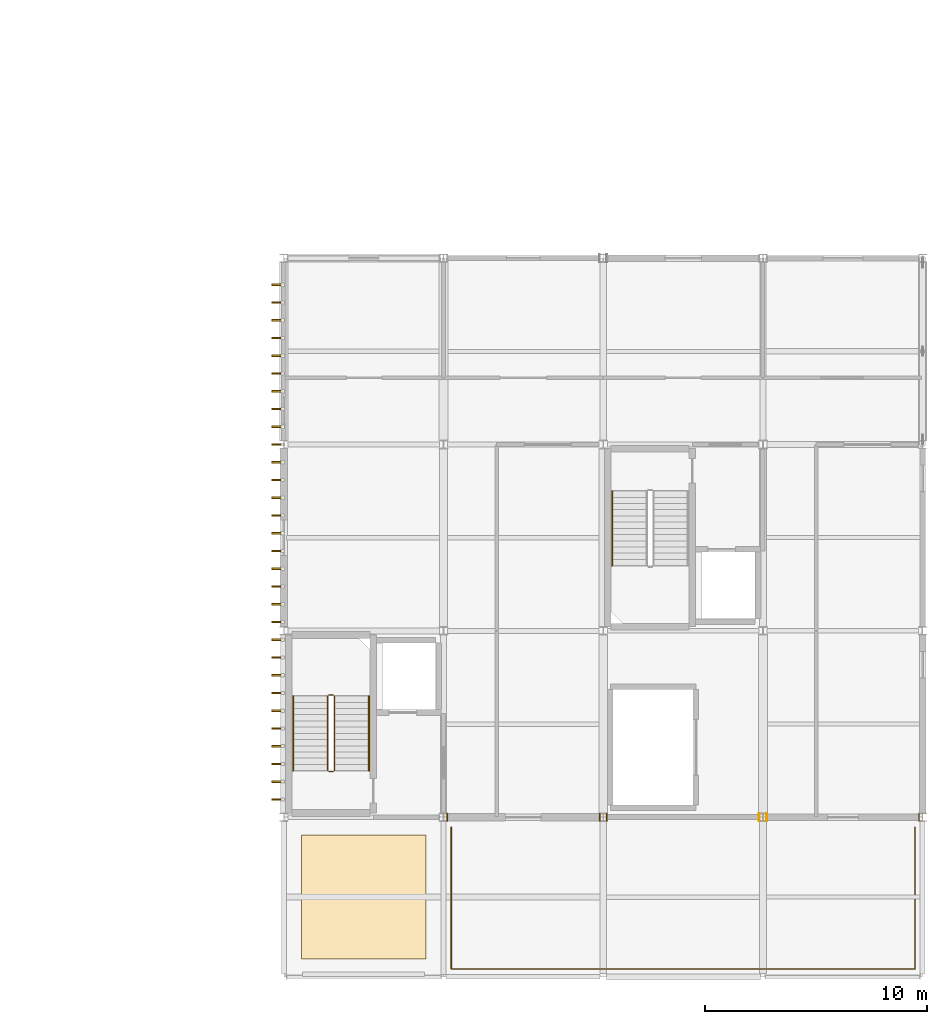
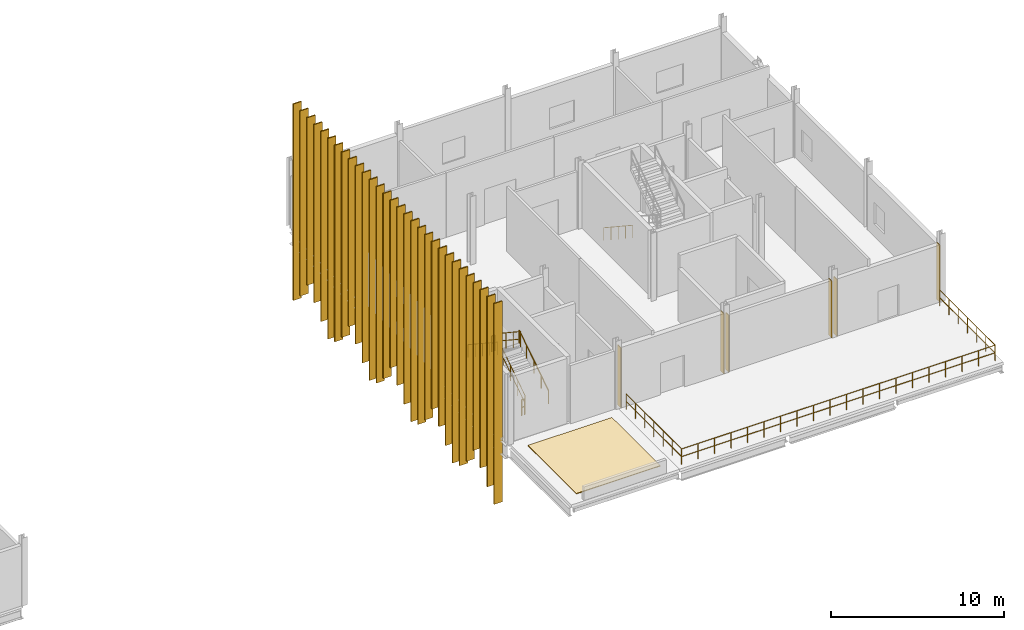
# One storey, part 41 of 45: 37 coverings, 8 railings.
"""IFC4 building model written with IfcOpenShell, lengths in metres."""

import ifcopenshell
import ifcopenshell.guid

model = None  # the IFC model being written
_history = None  # IfcOwnerHistory: only IFC2X3 demands one
_inside = {}  # id of a spatial element -> (the spatial element, [elements in it])
_under = {}  # id of a project, library or spatial element -> (it, [spatial elements below it])
_declared = {}  # id of a project -> (the project, [libraries it declares])
_typed = {}  # id of a type object -> (the type object, [elements of that type])
_made_of = {}  # id of a material, layer set ... -> (it, [elements and type objects made of it])


def new_model(schema):
    """Start an empty IFC model of exactly this schema.

    Asked for "IFC4X3", IfcOpenShell would pick the latest addendum, in which some entities
    have other attributes; the version numbers below select the first issue.
    IFC2X3 requires an IfcOwnerHistory on every rooted entity: one is made here for all.
    """
    global model, _history
    if schema == "IFC4X3":
        model = ifcopenshell.file(schema_version=(4, 3, 0, 0))
    else:
        model = ifcopenshell.file(schema=schema)
    _inside.clear()
    _under.clear()
    _declared.clear()
    _typed.clear()
    _made_of.clear()
    _history = None
    if model.schema == "IFC2X3":
        org = make("IfcOrganization", Name="unknown")
        user = make(
            "IfcPersonAndOrganization",
            ThePerson=make("IfcPerson", FamilyName="unknown"),
            TheOrganization=org,
        )
        app = make(
            "IfcApplication",
            ApplicationDeveloper=org,
            Version="unknown",
            ApplicationFullName="unknown",
            ApplicationIdentifier="unknown",
        )
        _history = make(
            "IfcOwnerHistory",
            OwningUser=user,
            OwningApplication=app,
            ChangeAction="ADDED",
            CreationDate=0,
        )
    return model


def make(cls, **values):
    """One entity of the class cls with the attributes given. An attribute that is None is left unset."""
    return model.create_entity(
        cls, **{name: value for name, value in values.items() if value is not None}
    )


def rooted(cls, **values):
    """An entity with a GlobalId (a new one), such as an element, a storey or a relation."""
    return make(cls, GlobalId=ifcopenshell.guid.new(), OwnerHistory=_history, **values)


def si_unit(unit_type, name, prefix=None):
    """IfcSIUnit, for example si_unit("LENGTHUNIT", "METRE", prefix="MILLI")."""
    return make("IfcSIUnit", UnitType=unit_type, Prefix=prefix, Name=name)


def assignment(units):
    """IfcUnitAssignment: the units of a project."""
    return None if units is None else make("IfcUnitAssignment", Units=units)


def point(xyz):
    """IfcCartesianPoint."""
    return None if xyz is None else make("IfcCartesianPoint", Coordinates=xyz)


def direction(xyz):
    """IfcDirection."""
    return None if xyz is None else make("IfcDirection", DirectionRatios=xyz)


def frame(location, z_axis=None, x_axis=None):
    """IfcAxis2Placement3D, a coordinate frame: its origin and axes. An axis left out is left unset."""
    return make(
        "IfcAxis2Placement3D",
        Location=point(location),
        Axis=direction(z_axis),
        RefDirection=direction(x_axis),
    )


def frame_2d(location, x_axis=None):
    """IfcAxis2Placement2D, a coordinate frame in the plane: its origin and x axis."""
    return make(
        "IfcAxis2Placement2D", Location=point(location), RefDirection=direction(x_axis)
    )


def origin():
    """The frame at (0, 0, 0) with its axes left unset."""
    return frame((0.0, 0.0, 0.0))


def origin_2d():
    """The frame at (0, 0) in the plane with its x axis left unset."""
    return frame_2d((0.0, 0.0))


def place(relative_to, where):
    """IfcLocalPlacement: puts the frame where relative to a parent placement (None: the world)."""
    return make(
        "IfcLocalPlacement", PlacementRelTo=relative_to, RelativePlacement=where
    )


def context(
    kind, dimensions, precision=None, world=None, true_north=None, identifier=None
):
    """IfcGeometricRepresentationContext, for example the 3D "Model" context."""
    return make(
        "IfcGeometricRepresentationContext",
        ContextIdentifier=identifier,
        ContextType=kind,
        CoordinateSpaceDimension=dimensions,
        Precision=precision,
        WorldCoordinateSystem=world,
        TrueNorth=true_north,
    )


def subcontext(parent, identifier, kind, view, scale=None):
    """IfcGeometricRepresentationSubContext, for example "Body" below "Model"."""
    return make(
        "IfcGeometricRepresentationSubContext",
        ContextIdentifier=identifier,
        ContextType=kind,
        ParentContext=parent,
        TargetScale=scale,
        TargetView=view,
    )


def project(units=None, contexts=None):
    """IfcProject with its units and contexts."""
    return rooted(
        "IfcProject",
        Name="project",
        RepresentationContexts=contexts,
        UnitsInContext=assignment(units),
    )


def spatial(cls, under=None, at=None, **own):
    """A site, building, storey or space (cls), placed at a placement, below another one or the project."""
    s = rooted(cls, ObjectPlacement=at, **own)
    if under is not None:
        _under.setdefault(under.id(), (under, []))[1].append(s)
    return s


def polyline(points):
    """IfcPolyline through the points."""
    return make("IfcPolyline", Points=[point(p) for p in points])


def profile(cls, at=None, kind="AREA", **sizes):
    """A parametric profile (cls). Its sizes go by their IFC names, for example OverallWidth=200.0."""
    return make(cls, ProfileType=kind, Position=at, **sizes)


def rectangle(**sizes):
    """IfcRectangleProfileDef."""
    return profile("IfcRectangleProfileDef", **sizes)


def circle(**sizes):
    """IfcCircleProfileDef."""
    return profile("IfcCircleProfileDef", **sizes)


def outline(outer, holes=None, kind="AREA"):
    """IfcArbitraryClosedProfileDef: a profile drawn as a closed curve; with holes, ...WithVoids."""
    if holes is None:
        return make("IfcArbitraryClosedProfileDef", ProfileType=kind, OuterCurve=outer)
    return make(
        "IfcArbitraryProfileDefWithVoids",
        ProfileType=kind,
        OuterCurve=outer,
        InnerCurves=holes,
    )


def extrude(swept, where, along, depth):
    """IfcExtrudedAreaSolid: the profile swept, set in the frame where, extruded along a direction by depth."""
    return make(
        "IfcExtrudedAreaSolid",
        SweptArea=swept,
        Position=where,
        ExtrudedDirection=direction(along),
        Depth=depth,
    )


def shape(context_of_items, identifier, shape_type, items):
    """IfcShapeRepresentation: the items that make up one representation, for example the "Body"."""
    return make(
        "IfcShapeRepresentation",
        ContextOfItems=context_of_items,
        RepresentationIdentifier=identifier,
        RepresentationType=shape_type,
        Items=items,
    )


def material(Name=None, Category=None):
    """IfcMaterial."""
    return make("IfcMaterial", Name=Name, Category=Category)


def layer(
    of_material, thickness, ventilated=None, Name=None, Category=None, Priority=None
):
    """IfcMaterialLayer: one layer of a wall or slab, of a material (None: an air gap)."""
    return make(
        "IfcMaterialLayer",
        Material=of_material,
        LayerThickness=thickness,
        IsVentilated=ventilated,
        Name=Name,
        Category=Category,
        Priority=Priority,
    )


def layer_set(layers, Name=None):
    """IfcMaterialLayerSet."""
    return make("IfcMaterialLayerSet", MaterialLayers=layers, LayerSetName=Name)


def made_of(thing, what):
    """Note that an element or type object is made of a material, layer set ...; save() writes the relation."""
    if what is not None:
        _made_of.setdefault(what.id(), (what, []))[1].append(thing)
    return thing


def type_object(cls, material=None, **own):
    """A type object (cls), such as IfcWallType, which elements share."""
    return made_of(rooted(cls, **own), material)


def element(
    cls,
    number,
    at=None,
    inside=None,
    cuts=None,
    type_object=None,
    material=None,
    context=None,
    identifier="Body",
    shape_type=None,
    held_by="IfcProductDefinitionShape",
    body=None,
    shapes=None,
    **own,
):
    """One element of the class cls, such as IfcWall. Its Tag is "e" and its number.

    at: its placement. inside: the storey or other place that contains it. cuts: it is an
    opening in that element (IfcRelVoidsElement). A single representation is given by context,
    identifier, shape_type and body (its items); several are given by shapes. held_by: the class
    of the entity that holds the representations. save() writes the other relations.
    """
    e = rooted(cls, Tag="e%d" % number, ObjectPlacement=at, **own)
    if body is not None:
        shapes = [shape(context, identifier, shape_type, body)]
    if shapes is not None:
        e.Representation = make(held_by, Representations=shapes)
    if inside is not None:
        _inside.setdefault(inside.id(), (inside, []))[1].append(e)
    if cuts is not None:
        rooted(
            "IfcRelVoidsElement", RelatingBuildingElement=cuts, RelatedOpeningElement=e
        )
    if type_object is not None:
        _typed.setdefault(type_object.id(), (type_object, []))[1].append(e)
    return made_of(e, material)


def aggregate(whole, parts):
    """IfcRelAggregates: a whole, such as a stair, and the parts it consists of."""
    return rooted("IfcRelAggregates", RelatingObject=whole, RelatedObjects=parts)


def save(model, path):
    """Write the relations noted so far, then the file.

    IfcRelAggregates (storeys below a building ...), IfcRelContainedInSpatialStructure (elements
    in a storey), IfcRelDefinesByType, IfcRelAssociatesMaterial and IfcRelDeclares: one each for
    every whole, place, type object, material and project.
    """
    for whole, parts in _under.values():
        aggregate(whole, parts)
    for where, things in _inside.values():
        rooted(
            "IfcRelContainedInSpatialStructure",
            RelatedElements=things,
            RelatingStructure=where,
        )
    for kind, things in _typed.values():
        rooted("IfcRelDefinesByType", RelatedObjects=things, RelatingType=kind)
    for what, things in _made_of.values():
        rooted("IfcRelAssociatesMaterial", RelatedObjects=things, RelatingMaterial=what)
    for by, libraries in _declared.values():
        rooted("IfcRelDeclares", RelatingContext=by, RelatedDefinitions=libraries)
    model.write(path)


model = new_model("IFC4")

# Units and contexts
model_context = context("Model", 3, precision=1e-05, world=origin(), true_north=direction((0.0, 1.0)))
body_context = subcontext(model_context, "Body", "Model", "MODEL_VIEW")
ifc_project = project(units=[si_unit("LENGTHUNIT", "METRE"), si_unit("AREAUNIT", "SQUARE_METRE"), si_unit("VOLUMEUNIT", "CUBIC_METRE"), si_unit("PLANEANGLEUNIT", "RADIAN"), si_unit("MASSUNIT", "GRAM", prefix="KILO")], contexts=[model_context])

# Site, building, storey
site_placement = place(None, origin())
site = spatial("IfcSite", under=ifc_project, at=site_placement, CompositionType="ELEMENT")
building_placement = place(site_placement, origin())
building = spatial("IfcBuilding", under=site, at=building_placement, Name="Calvrana Isthmian Art Gallery", CompositionType="ELEMENT")
storey_placement = place(building_placement, frame((0.0, 0.0, 19.800048828125)))
storey = spatial("IfcBuildingStorey", under=building, at=storey_placement, Name="L04", CompositionType="ELEMENT", Elevation=19.800048828125)

# Coverings
ifc_material_1 = material(Name="Polychrome glazed terracotta", Category="masonry")
ifc_layer_1 = layer(ifc_material_1, 0.0400390625, Name="Polychrome glazed terracotta")
ifc_layer_set_1 = layer_set([ifc_layer_1], Name="Polychrome glazed terracotta")
covering_type_1 = type_object("IfcCoveringType", Name="COV-CLAD-TERRA", PredefinedType="CLADDING", material=ifc_layer_set_1)
covering_1_placement = place(storey_placement, origin())
element("IfcCovering", 1, at=covering_1_placement, inside=storey, type_object=covering_type_1, Name="Column pocket weather closure L04-15-03-W", PredefinedType="CLADDING", context=body_context, shape_type="SweptSolid", body=[
    extrude(outline(polyline([(120.1455078125, 21.423583984375), (120.185546875, 21.423583984375), (120.185546875, 21.776611328125), (120.1455078125, 21.776611328125), (120.1455078125, 21.423583984375)])), origin(), (0.0, 0.0, 1.0), 4.255126953125),
])
covering_2_placement = place(storey_placement, origin())
element("IfcCovering", 2, at=covering_2_placement, inside=storey, type_object=covering_type_1, Name="Column pocket weather closure L04-15-03-E", PredefinedType="CLADDING", context=body_context, shape_type="SweptSolid", body=[
    extrude(outline(polyline([(127.01611328125, 21.425048828125), (127.055908203125, 21.425048828125), (127.055908203125, 21.77490234375), (127.01611328125, 21.77490234375), (127.01611328125, 21.425048828125)])), origin(), (0.0, 0.0, 1.0), 4.255126953125),
])
covering_3_placement = place(storey_placement, origin())
element("IfcCovering", 3, at=covering_3_placement, inside=storey, type_object=covering_type_1, Name="Column pocket weather closure L04-16-03-W", PredefinedType="CLADDING", context=body_context, shape_type="SweptSolid", body=[
    extrude(outline(polyline([(127.343994140625, 21.427001953125), (127.384033203125, 21.427001953125), (127.384033203125, 21.77294921875), (127.343994140625, 21.77294921875), (127.343994140625, 21.427001953125)])), origin(), (0.0, 0.0, 1.0), 4.010986328125),
])
covering_4_placement = place(storey_placement, origin())
element("IfcCovering", 4, at=covering_4_placement, inside=storey, type_object=covering_type_1, Name="Column pocket weather closure L04-16-03-E", PredefinedType="CLADDING", context=body_context, shape_type="SweptSolid", body=[
    extrude(outline(polyline([(134.21337890625, 21.41845703125), (134.25341796875, 21.41845703125), (134.25341796875, 21.781494140625), (134.21337890625, 21.781494140625), (134.21337890625, 21.41845703125)])), origin(), (0.0, 0.0, 1.0), 4.010986328125),
])
covering_5_placement = place(storey_placement, origin())
element("IfcCovering", 5, at=covering_5_placement, inside=storey, type_object=covering_type_1, Name="Column pocket weather closure L04-17-03-W", PredefinedType="CLADDING", context=body_context, shape_type="SweptSolid", body=[
    extrude(outline(polyline([(134.54638671875, 21.41845703125), (134.58642578125, 21.41845703125), (134.58642578125, 21.781494140625), (134.54638671875, 21.781494140625), (134.54638671875, 21.41845703125)])), origin(), (0.0, 0.0, 1.0), 4.02685546875),
])
covering_6_placement = place(storey_placement, origin())
element("IfcCovering", 6, at=covering_6_placement, inside=storey, type_object=covering_type_1, Name="Column pocket weather closure L04-17-03-E", PredefinedType="CLADDING", context=body_context, shape_type="SweptSolid", body=[
    extrude(outline(polyline([(141.41357421875, 21.4208984375), (141.45361328125, 21.4208984375), (141.45361328125, 21.779052734375), (141.41357421875, 21.779052734375), (141.41357421875, 21.4208984375)])), origin(), (0.0, 0.0, 1.0), 4.02685546875),
])
ifc_material_2 = material(Name="Anodized bronze aluminium 6063-T6", Category="aluminium")
ifc_layer_2 = layer(ifc_material_2, 0.074951171875, Name="Anodized bronze aluminium 6063-T6")
ifc_layer_set_2 = layer_set([ifc_layer_2], Name="Anodized bronze aluminium 6063-T6")
covering_type_2 = type_object("IfcCoveringType", Name="COV-FIN-550", PredefinedType="CLADDING", material=ifc_layer_set_2)
covering_7_placement = place(storey_placement, frame((112.527099609375, 22.39990234375, -4.60009765625), z_axis=(0.0, 0.0, 1.0), x_axis=(1.0, 0.0, 0.0)))
element("IfcCovering", 7, at=covering_7_placement, inside=storey, type_object=covering_type_2, Name="Anodized bronze vertical solar fin FN-193", PredefinedType="CLADDING", context=body_context, shape_type="SweptSolid", body=[
    extrude(rectangle(XDim=0.550048828125, YDim=0.074951171875, at=origin_2d()), origin(), (0.0, 0.0, 1.0), 14.14990234375),
])
covering_8_placement = place(storey_placement, frame((112.527099609375, 23.199951171875, -3.85009765625), z_axis=(0.0, 0.0, 1.0), x_axis=(1.0, 0.0, 0.0)))
element("IfcCovering", 8, at=covering_8_placement, inside=storey, type_object=covering_type_2, Name="Anodized bronze vertical solar fin FN-194", PredefinedType="CLADDING", context=body_context, shape_type="SweptSolid", body=[
    extrude(rectangle(XDim=0.550048828125, YDim=0.074951171875, at=origin_2d()), origin(), (0.0, 0.0, 1.0), 13.39990234375),
])
covering_9_placement = place(storey_placement, frame((112.527099609375, 24.0, -3.0), z_axis=(0.0, 0.0, 1.0), x_axis=(1.0, 0.0, 0.0)))
element("IfcCovering", 9, at=covering_9_placement, inside=storey, type_object=covering_type_2, Name="Anodized bronze vertical solar fin FN-195", PredefinedType="CLADDING", context=body_context, shape_type="SweptSolid", body=[
    extrude(rectangle(XDim=0.550048828125, YDim=0.074951171875, at=origin_2d()), origin(), (0.0, 0.0, 1.0), 12.550048828125),
])
covering_10_placement = place(storey_placement, frame((112.527099609375, 24.800048828125, -2.25), z_axis=(0.0, 0.0, 1.0), x_axis=(1.0, 0.0, 0.0)))
element("IfcCovering", 10, at=covering_10_placement, inside=storey, type_object=covering_type_2, Name="Anodized bronze vertical solar fin FN-196", PredefinedType="CLADDING", context=body_context, shape_type="SweptSolid", body=[
    extrude(rectangle(XDim=0.550048828125, YDim=0.074951171875, at=origin_2d()), origin(), (0.0, 0.0, 1.0), 11.800048828125),
])
covering_11_placement = place(storey_placement, frame((112.527099609375, 25.60009765625, -3.5), z_axis=(0.0, 0.0, 1.0), x_axis=(1.0, 0.0, 0.0)))
element("IfcCovering", 11, at=covering_11_placement, inside=storey, type_object=covering_type_2, Name="Anodized bronze vertical solar fin FN-197", PredefinedType="CLADDING", context=body_context, shape_type="SweptSolid", body=[
    extrude(rectangle(XDim=0.550048828125, YDim=0.074951171875, at=origin_2d()), origin(), (0.0, 0.0, 1.0), 13.050048828125),
])
covering_12_placement = place(storey_placement, frame((112.527099609375, 26.39990234375, -4.300048828125), z_axis=(0.0, 0.0, 1.0), x_axis=(1.0, 0.0, 0.0)))
element("IfcCovering", 12, at=covering_12_placement, inside=storey, type_object=covering_type_2, Name="Anodized bronze vertical solar fin FN-198", PredefinedType="CLADDING", context=body_context, shape_type="SweptSolid", body=[
    extrude(rectangle(XDim=0.550048828125, YDim=0.074951171875, at=origin_2d()), origin(), (0.0, 0.0, 1.0), 13.85009765625),
])
covering_13_placement = place(storey_placement, frame((112.527099609375, 27.199951171875, -4.60009765625), z_axis=(0.0, 0.0, 1.0), x_axis=(1.0, 0.0, 0.0)))
element("IfcCovering", 13, at=covering_13_placement, inside=storey, type_object=covering_type_2, Name="Anodized bronze vertical solar fin FN-199", PredefinedType="CLADDING", context=body_context, shape_type="SweptSolid", body=[
    extrude(rectangle(XDim=0.550048828125, YDim=0.074951171875, at=origin_2d()), origin(), (0.0, 0.0, 1.0), 14.14990234375),
])
covering_14_placement = place(storey_placement, frame((112.527099609375, 28.0, -3.85009765625), z_axis=(0.0, 0.0, 1.0), x_axis=(1.0, 0.0, 0.0)))
element("IfcCovering", 14, at=covering_14_placement, inside=storey, type_object=covering_type_2, Name="Anodized bronze vertical solar fin FN-200", PredefinedType="CLADDING", context=body_context, shape_type="SweptSolid", body=[
    extrude(rectangle(XDim=0.550048828125, YDim=0.074951171875, at=origin_2d()), origin(), (0.0, 0.0, 1.0), 13.39990234375),
])
covering_15_placement = place(storey_placement, frame((112.527099609375, 28.800048828125, -3.0), z_axis=(0.0, 0.0, 1.0), x_axis=(1.0, 0.0, 0.0)))
element("IfcCovering", 15, at=covering_15_placement, inside=storey, type_object=covering_type_2, Name="Anodized bronze vertical solar fin FN-201", PredefinedType="CLADDING", context=body_context, shape_type="SweptSolid", body=[
    extrude(rectangle(XDim=0.550048828125, YDim=0.074951171875, at=origin_2d()), origin(), (0.0, 0.0, 1.0), 12.550048828125),
])
covering_16_placement = place(storey_placement, frame((112.527099609375, 29.60009765625, -2.25), z_axis=(0.0, 0.0, 1.0), x_axis=(1.0, 0.0, 0.0)))
element("IfcCovering", 16, at=covering_16_placement, inside=storey, type_object=covering_type_2, Name="Anodized bronze vertical solar fin FN-202", PredefinedType="CLADDING", context=body_context, shape_type="SweptSolid", body=[
    extrude(rectangle(XDim=0.550048828125, YDim=0.074951171875, at=origin_2d()), origin(), (0.0, 0.0, 1.0), 11.800048828125),
])
covering_17_placement = place(storey_placement, frame((112.527099609375, 30.39990234375, -3.5), z_axis=(0.0, 0.0, 1.0), x_axis=(1.0, 0.0, 0.0)))
element("IfcCovering", 17, at=covering_17_placement, inside=storey, type_object=covering_type_2, Name="Anodized bronze vertical solar fin FN-203", PredefinedType="CLADDING", context=body_context, shape_type="SweptSolid", body=[
    extrude(rectangle(XDim=0.550048828125, YDim=0.074951171875, at=origin_2d()), origin(), (0.0, 0.0, 1.0), 13.050048828125),
])
covering_18_placement = place(storey_placement, frame((112.527099609375, 31.199951171875, -4.300048828125), z_axis=(0.0, 0.0, 1.0), x_axis=(1.0, 0.0, 0.0)))
element("IfcCovering", 18, at=covering_18_placement, inside=storey, type_object=covering_type_2, Name="Anodized bronze vertical solar fin FN-204", PredefinedType="CLADDING", context=body_context, shape_type="SweptSolid", body=[
    extrude(rectangle(XDim=0.550048828125, YDim=0.074951171875, at=origin_2d()), origin(), (0.0, 0.0, 1.0), 13.85009765625),
])
covering_19_placement = place(storey_placement, frame((112.527099609375, 32.0, -4.60009765625), z_axis=(0.0, 0.0, 1.0), x_axis=(1.0, 0.0, 0.0)))
element("IfcCovering", 19, at=covering_19_placement, inside=storey, type_object=covering_type_2, Name="Anodized bronze vertical solar fin FN-205", PredefinedType="CLADDING", context=body_context, shape_type="SweptSolid", body=[
    extrude(rectangle(XDim=0.550048828125, YDim=0.074951171875, at=origin_2d()), origin(), (0.0, 0.0, 1.0), 14.14990234375),
])
covering_20_placement = place(storey_placement, frame((112.527099609375, 32.800048828125, -3.85009765625), z_axis=(0.0, 0.0, 1.0), x_axis=(1.0, 0.0, 0.0)))
element("IfcCovering", 20, at=covering_20_placement, inside=storey, type_object=covering_type_2, Name="Anodized bronze vertical solar fin FN-206", PredefinedType="CLADDING", context=body_context, shape_type="SweptSolid", body=[
    extrude(rectangle(XDim=0.550048828125, YDim=0.074951171875, at=origin_2d()), origin(), (0.0, 0.0, 1.0), 13.39990234375),
])
covering_21_placement = place(storey_placement, frame((112.527099609375, 33.60009765625, -3.0), z_axis=(0.0, 0.0, 1.0), x_axis=(1.0, 0.0, 0.0)))
element("IfcCovering", 21, at=covering_21_placement, inside=storey, type_object=covering_type_2, Name="Anodized bronze vertical solar fin FN-207", PredefinedType="CLADDING", context=body_context, shape_type="SweptSolid", body=[
    extrude(rectangle(XDim=0.550048828125, YDim=0.074951171875, at=origin_2d()), origin(), (0.0, 0.0, 1.0), 12.550048828125),
])
covering_22_placement = place(storey_placement, frame((112.527099609375, 34.39990234375, -2.25), z_axis=(0.0, 0.0, 1.0), x_axis=(1.0, 0.0, 0.0)))
element("IfcCovering", 22, at=covering_22_placement, inside=storey, type_object=covering_type_2, Name="Anodized bronze vertical solar fin FN-208", PredefinedType="CLADDING", context=body_context, shape_type="SweptSolid", body=[
    extrude(rectangle(XDim=0.550048828125, YDim=0.074951171875, at=origin_2d()), origin(), (0.0, 0.0, 1.0), 11.800048828125),
])
covering_23_placement = place(storey_placement, frame((112.527099609375, 35.199951171875, -3.5), z_axis=(0.0, 0.0, 1.0), x_axis=(1.0, 0.0, 0.0)))
element("IfcCovering", 23, at=covering_23_placement, inside=storey, type_object=covering_type_2, Name="Anodized bronze vertical solar fin FN-209", PredefinedType="CLADDING", context=body_context, shape_type="SweptSolid", body=[
    extrude(rectangle(XDim=0.550048828125, YDim=0.074951171875, at=origin_2d()), origin(), (0.0, 0.0, 1.0), 13.050048828125),
])
covering_24_placement = place(storey_placement, frame((112.527099609375, 36.0, -4.300048828125), z_axis=(0.0, 0.0, 1.0), x_axis=(1.0, 0.0, 0.0)))
element("IfcCovering", 24, at=covering_24_placement, inside=storey, type_object=covering_type_2, Name="Anodized bronze vertical solar fin FN-210", PredefinedType="CLADDING", context=body_context, shape_type="SweptSolid", body=[
    extrude(rectangle(XDim=0.550048828125, YDim=0.074951171875, at=origin_2d()), origin(), (0.0, 0.0, 1.0), 13.85009765625),
])
covering_25_placement = place(storey_placement, frame((112.527099609375, 36.800048828125, -4.60009765625), z_axis=(0.0, 0.0, 1.0), x_axis=(1.0, 0.0, 0.0)))
element("IfcCovering", 25, at=covering_25_placement, inside=storey, type_object=covering_type_2, Name="Anodized bronze vertical solar fin FN-211", PredefinedType="CLADDING", context=body_context, shape_type="SweptSolid", body=[
    extrude(rectangle(XDim=0.550048828125, YDim=0.074951171875, at=origin_2d()), origin(), (0.0, 0.0, 1.0), 14.14990234375),
])
covering_26_placement = place(storey_placement, frame((112.527099609375, 37.60009765625, -3.85009765625), z_axis=(0.0, 0.0, 1.0), x_axis=(1.0, 0.0, 0.0)))
element("IfcCovering", 26, at=covering_26_placement, inside=storey, type_object=covering_type_2, Name="Anodized bronze vertical solar fin FN-212", PredefinedType="CLADDING", context=body_context, shape_type="SweptSolid", body=[
    extrude(rectangle(XDim=0.550048828125, YDim=0.074951171875, at=origin_2d()), origin(), (0.0, 0.0, 1.0), 13.39990234375),
])
covering_27_placement = place(storey_placement, frame((112.527099609375, 38.39990234375, -3.0), z_axis=(0.0, 0.0, 1.0), x_axis=(1.0, 0.0, 0.0)))
element("IfcCovering", 27, at=covering_27_placement, inside=storey, type_object=covering_type_2, Name="Anodized bronze vertical solar fin FN-213", PredefinedType="CLADDING", context=body_context, shape_type="SweptSolid", body=[
    extrude(rectangle(XDim=0.550048828125, YDim=0.074951171875, at=origin_2d()), origin(), (0.0, 0.0, 1.0), 12.550048828125),
])
covering_28_placement = place(storey_placement, frame((112.527099609375, 39.199951171875, -2.25), z_axis=(0.0, 0.0, 1.0), x_axis=(1.0, 0.0, 0.0)))
element("IfcCovering", 28, at=covering_28_placement, inside=storey, type_object=covering_type_2, Name="Anodized bronze vertical solar fin FN-214", PredefinedType="CLADDING", context=body_context, shape_type="SweptSolid", body=[
    extrude(rectangle(XDim=0.550048828125, YDim=0.074951171875, at=origin_2d()), origin(), (0.0, 0.0, 1.0), 11.800048828125),
])
covering_29_placement = place(storey_placement, frame((112.527099609375, 40.0, -3.5), z_axis=(0.0, 0.0, 1.0), x_axis=(1.0, 0.0, 0.0)))
element("IfcCovering", 29, at=covering_29_placement, inside=storey, type_object=covering_type_2, Name="Anodized bronze vertical solar fin FN-215", PredefinedType="CLADDING", context=body_context, shape_type="SweptSolid", body=[
    extrude(rectangle(XDim=0.550048828125, YDim=0.074951171875, at=origin_2d()), origin(), (0.0, 0.0, 1.0), 13.050048828125),
])
covering_30_placement = place(storey_placement, frame((112.527099609375, 40.800048828125, -4.300048828125), z_axis=(0.0, 0.0, 1.0), x_axis=(1.0, 0.0, 0.0)))
element("IfcCovering", 30, at=covering_30_placement, inside=storey, type_object=covering_type_2, Name="Anodized bronze vertical solar fin FN-216", PredefinedType="CLADDING", context=body_context, shape_type="SweptSolid", body=[
    extrude(rectangle(XDim=0.550048828125, YDim=0.074951171875, at=origin_2d()), origin(), (0.0, 0.0, 1.0), 13.85009765625),
])
covering_31_placement = place(storey_placement, frame((112.527099609375, 41.60009765625, -4.60009765625), z_axis=(0.0, 0.0, 1.0), x_axis=(1.0, 0.0, 0.0)))
element("IfcCovering", 31, at=covering_31_placement, inside=storey, type_object=covering_type_2, Name="Anodized bronze vertical solar fin FN-217", PredefinedType="CLADDING", context=body_context, shape_type="SweptSolid", body=[
    extrude(rectangle(XDim=0.550048828125, YDim=0.074951171875, at=origin_2d()), origin(), (0.0, 0.0, 1.0), 14.14990234375),
])
covering_32_placement = place(storey_placement, frame((112.527099609375, 42.39990234375, -3.85009765625), z_axis=(0.0, 0.0, 1.0), x_axis=(1.0, 0.0, 0.0)))
element("IfcCovering", 32, at=covering_32_placement, inside=storey, type_object=covering_type_2, Name="Anodized bronze vertical solar fin FN-218", PredefinedType="CLADDING", context=body_context, shape_type="SweptSolid", body=[
    extrude(rectangle(XDim=0.550048828125, YDim=0.074951171875, at=origin_2d()), origin(), (0.0, 0.0, 1.0), 13.39990234375),
])
covering_33_placement = place(storey_placement, frame((112.527099609375, 43.199951171875, -3.0), z_axis=(0.0, 0.0, 1.0), x_axis=(1.0, 0.0, 0.0)))
element("IfcCovering", 33, at=covering_33_placement, inside=storey, type_object=covering_type_2, Name="Anodized bronze vertical solar fin FN-219", PredefinedType="CLADDING", context=body_context, shape_type="SweptSolid", body=[
    extrude(rectangle(XDim=0.550048828125, YDim=0.074951171875, at=origin_2d()), origin(), (0.0, 0.0, 1.0), 12.550048828125),
])
covering_34_placement = place(storey_placement, frame((112.527099609375, 44.0, -2.25), z_axis=(0.0, 0.0, 1.0), x_axis=(1.0, 0.0, 0.0)))
element("IfcCovering", 34, at=covering_34_placement, inside=storey, type_object=covering_type_2, Name="Anodized bronze vertical solar fin FN-220", PredefinedType="CLADDING", context=body_context, shape_type="SweptSolid", body=[
    extrude(rectangle(XDim=0.550048828125, YDim=0.074951171875, at=origin_2d()), origin(), (0.0, 0.0, 1.0), 11.800048828125),
])
covering_35_placement = place(storey_placement, frame((112.527099609375, 44.800048828125, -3.5), z_axis=(0.0, 0.0, 1.0), x_axis=(1.0, 0.0, 0.0)))
element("IfcCovering", 35, at=covering_35_placement, inside=storey, type_object=covering_type_2, Name="Anodized bronze vertical solar fin FN-221", PredefinedType="CLADDING", context=body_context, shape_type="SweptSolid", body=[
    extrude(rectangle(XDim=0.550048828125, YDim=0.074951171875, at=origin_2d()), origin(), (0.0, 0.0, 1.0), 13.050048828125),
])
covering_36_placement = place(storey_placement, frame((112.527099609375, 45.60009765625, -4.300048828125), z_axis=(0.0, 0.0, 1.0), x_axis=(1.0, 0.0, 0.0)))
element("IfcCovering", 36, at=covering_36_placement, inside=storey, type_object=covering_type_2, Name="Anodized bronze vertical solar fin FN-222", PredefinedType="CLADDING", context=body_context, shape_type="SweptSolid", body=[
    extrude(rectangle(XDim=0.550048828125, YDim=0.074951171875, at=origin_2d()), origin(), (0.0, 0.0, 1.0), 13.85009765625),
])
ifc_material_3 = material(Name="Standing-seam zinc-aluminium roofing", Category="aluminium")
ifc_layer_3 = layer(ifc_material_3, 0.050048828125, Name="Standing-seam zinc-aluminium roofing")
ifc_layer_set_3 = layer_set([ifc_layer_3], Name="Standing-seam zinc-aluminium roofing")
covering_type_3 = type_object("IfcCoveringType", Name="COV-ROOF-ZINC", PredefinedType="ROOFING", material=ifc_layer_set_3)
covering_37_placement = place(storey_placement, origin())
element("IfcCovering", 37, at=covering_37_placement, inside=storey, type_object=covering_type_3, Name="Insulated roof membrane ROOF_V4SW_L04", PredefinedType="ROOFING", context=body_context, shape_type="SweptSolid", body=[
    extrude(outline(polyline([(113.60009765625, 15.199951171875), (119.199951171875, 15.199951171875), (119.199951171875, 20.800048828125), (113.60009765625, 20.800048828125), (113.60009765625, 15.199951171875)])), origin(), (0.0, 0.0, 1.0), 0.050048828125),
])

# Railings
railing_type_1 = type_object("IfcRailingType", Name="RL-BAL-1120", PredefinedType="BALUSTRADE", material=ifc_material_2)
railing_1_placement = place(storey_placement, frame((120.35009765625, 21.14990234375, 0.0)))
element("IfcRailing", 38, at=railing_1_placement, inside=storey, type_object=railing_type_1, Name="Terrace balustrade GR-T06", PredefinedType="BALUSTRADE", context=body_context, shape_type="SweptSolid", body=[
    extrude(circle(Radius=0.02392578125, at=origin_2d()), frame((0.0, 0.0, 1.09619140625), z_axis=(0.0, -1.0, 0.0), x_axis=(1.0, 0.0, 0.0)), (0.0, 0.0, 1.0), 6.39990234375),
    extrude(circle(Radius=0.02392578125, at=origin_2d()), frame((0.0, 0.0, 0.56005859375), z_axis=(0.0, -1.0, 0.0), x_axis=(1.0, 0.0, 0.0)), (0.0, 0.0, 1.0), 6.39990234375),
    extrude(circle(Radius=0.02392578125, at=origin_2d()), frame((0.0, -6.39990234375, 1.09619140625), z_axis=(1.0, 0.0, 0.0), x_axis=(0.0, 1.0, 0.0)), (0.0, 0.0, 1.0), 20.89990234375),
    extrude(circle(Radius=0.02392578125, at=origin_2d()), frame((0.0, -6.39990234375, 0.56005859375), z_axis=(1.0, 0.0, 0.0), x_axis=(0.0, 1.0, 0.0)), (0.0, 0.0, 1.0), 20.89990234375),
    extrude(circle(Radius=0.02392578125, at=origin_2d()), frame((20.89990234375, -6.39990234375, 1.09619140625), z_axis=(0.0, 1.0, 0.0), x_axis=(-1.0, 0.0, 0.0)), (0.0, 0.0, 1.0), 6.39990234375),
    extrude(circle(Radius=0.02392578125, at=origin_2d()), frame((20.89990234375, -6.39990234375, 0.56005859375), z_axis=(0.0, 1.0, 0.0), x_axis=(-1.0, 0.0, 0.0)), (0.0, 0.0, 1.0), 6.39990234375),
    extrude(circle(Radius=0.02099609375, at=origin_2d()), origin(), (0.0, 0.0, 1.0), 1.072021484375),
    extrude(circle(Radius=0.02099609375, at=origin_2d()), frame((0.0, -1.066650390625, 0.0)), (0.0, 0.0, 1.0), 1.072021484375),
    extrude(circle(Radius=0.02099609375, at=origin_2d()), frame((0.0, -2.13330078125, 0.0)), (0.0, 0.0, 1.0), 1.072021484375),
    extrude(circle(Radius=0.02099609375, at=origin_2d()), frame((0.0, -3.199951171875, 0.0)), (0.0, 0.0, 1.0), 1.072021484375),
    extrude(circle(Radius=0.02099609375, at=origin_2d()), frame((0.0, -4.2666015625, 0.0)), (0.0, 0.0, 1.0), 1.072021484375),
    extrude(circle(Radius=0.02099609375, at=origin_2d()), frame((0.0, -5.333251953125, 0.0)), (0.0, 0.0, 1.0), 1.072021484375),
    extrude(circle(Radius=0.02099609375, at=origin_2d()), frame((0.0, -6.39990234375, 0.0)), (0.0, 0.0, 1.0), 1.072021484375),
    extrude(circle(Radius=0.02099609375, at=origin_2d()), frame((1.10009765625, -6.39990234375, 0.0)), (0.0, 0.0, 1.0), 1.072021484375),
    extrude(circle(Radius=0.02099609375, at=origin_2d()), frame((2.199951171875, -6.39990234375, 0.0)), (0.0, 0.0, 1.0), 1.072021484375),
    extrude(circle(Radius=0.02099609375, at=origin_2d()), frame((3.300048828125, -6.39990234375, 0.0)), (0.0, 0.0, 1.0), 1.072021484375),
    extrude(circle(Radius=0.02099609375, at=origin_2d()), frame((4.39990234375, -6.39990234375, 0.0)), (0.0, 0.0, 1.0), 1.072021484375),
    extrude(circle(Radius=0.02099609375, at=origin_2d()), frame((5.5, -6.39990234375, 0.0)), (0.0, 0.0, 1.0), 1.072021484375),
    extrude(circle(Radius=0.02099609375, at=origin_2d()), frame((6.599853515625, -6.39990234375, 0.0)), (0.0, 0.0, 1.0), 1.072021484375),
    extrude(circle(Radius=0.02099609375, at=origin_2d()), frame((7.699951171875, -6.39990234375, 0.0)), (0.0, 0.0, 1.0), 1.072021484375),
    extrude(circle(Radius=0.02099609375, at=origin_2d()), frame((8.800048828125, -6.39990234375, 0.0)), (0.0, 0.0, 1.0), 1.072021484375),
    extrude(circle(Radius=0.02099609375, at=origin_2d()), frame((9.89990234375, -6.39990234375, 0.0)), (0.0, 0.0, 1.0), 1.072021484375),
    extrude(circle(Radius=0.02099609375, at=origin_2d()), frame((11.0, -6.39990234375, 0.0)), (0.0, 0.0, 1.0), 1.072021484375),
    extrude(circle(Radius=0.02099609375, at=origin_2d()), frame((12.099853515625, -6.39990234375, 0.0)), (0.0, 0.0, 1.0), 1.072021484375),
    extrude(circle(Radius=0.02099609375, at=origin_2d()), frame((13.199951171875, -6.39990234375, 0.0)), (0.0, 0.0, 1.0), 1.072021484375),
    extrude(circle(Radius=0.02099609375, at=origin_2d()), frame((14.300048828125, -6.39990234375, 0.0)), (0.0, 0.0, 1.0), 1.072021484375),
    extrude(circle(Radius=0.02099609375, at=origin_2d()), frame((15.39990234375, -6.39990234375, 0.0)), (0.0, 0.0, 1.0), 1.072021484375),
    extrude(circle(Radius=0.02099609375, at=origin_2d()), frame((16.5, -6.39990234375, 0.0)), (0.0, 0.0, 1.0), 1.072021484375),
    extrude(circle(Radius=0.02099609375, at=origin_2d()), frame((17.599853515625, -6.39990234375, 0.0)), (0.0, 0.0, 1.0), 1.072021484375),
    extrude(circle(Radius=0.02099609375, at=origin_2d()), frame((18.699951171875, -6.39990234375, 0.0)), (0.0, 0.0, 1.0), 1.072021484375),
    extrude(circle(Radius=0.02099609375, at=origin_2d()), frame((19.7998046875, -6.39990234375, 0.0)), (0.0, 0.0, 1.0), 1.072021484375),
    extrude(circle(Radius=0.02099609375, at=origin_2d()), frame((20.89990234375, -6.39990234375, 0.0)), (0.0, 0.0, 1.0), 1.072021484375),
    extrude(circle(Radius=0.02099609375, at=origin_2d()), frame((20.89990234375, -5.333251953125, 0.0)), (0.0, 0.0, 1.0), 1.072021484375),
    extrude(circle(Radius=0.02099609375, at=origin_2d()), frame((20.89990234375, -4.2666015625, 0.0)), (0.0, 0.0, 1.0), 1.072021484375),
    extrude(circle(Radius=0.02099609375, at=origin_2d()), frame((20.89990234375, -3.199951171875, 0.0)), (0.0, 0.0, 1.0), 1.072021484375),
    extrude(circle(Radius=0.02099609375, at=origin_2d()), frame((20.89990234375, -2.13330078125, 0.0)), (0.0, 0.0, 1.0), 1.072021484375),
    extrude(circle(Radius=0.02099609375, at=origin_2d()), frame((20.89990234375, -1.066650390625, 0.0)), (0.0, 0.0, 1.0), 1.072021484375),
    extrude(circle(Radius=0.02099609375, at=origin_2d()), frame((20.89990234375, 0.0, 0.0)), (0.0, 0.0, 1.0), 1.072021484375),
])
ifc_material_4 = material(Name="Stainless steel 316", Category="steel")
railing_type_2 = type_object("IfcRailingType", Name="RL-GUARD-1120", PredefinedType="BALUSTRADE", material=ifc_material_4)
railing_2_placement = place(storey_placement, frame((115.080078125, 23.699951171875, 0.1845703125)))
element("IfcRailing", 39, at=railing_2_placement, inside=storey, type_object=railing_type_2, Name="Stair ST-3 guard L04-1", PredefinedType="BALUSTRADE", context=body_context, shape_type="SweptSolid", body=[
    extrude(circle(Radius=0.02392578125, at=origin_2d()), frame((0.0, 0.0, 1.09619140625), z_axis=(0.0, 0.834876476806, 0.550437342915), x_axis=(-1.0, 0.0, 0.0)), (0.0, 0.0, 1.0), 4.024658203125),
    extrude(circle(Radius=0.02392578125, at=origin_2d()), frame((0.0, 0.0, 0.56005859375), z_axis=(0.0, 0.834876476806, 0.550437342915), x_axis=(-1.0, 0.0, 0.0)), (0.0, 0.0, 1.0), 4.024658203125),
    extrude(circle(Radius=0.02099609375, at=origin_2d()), origin(), (0.0, 0.0, 1.0), 1.072021484375),
    extrude(circle(Radius=0.02099609375, at=origin_2d()), frame((0.0, 0.840087890625, 0.5537109375)), (0.0, 0.0, 1.0), 1.072021484375),
    extrude(circle(Radius=0.02099609375, at=origin_2d()), frame((0.0, 1.68017578125, 1.107666015625)), (0.0, 0.0, 1.0), 1.072021484375),
    extrude(circle(Radius=0.02099609375, at=origin_2d()), frame((0.0, 2.52001953125, 1.66162109375)), (0.0, 0.0, 1.0), 1.072021484375),
    extrude(circle(Radius=0.02099609375, at=origin_2d()), frame((0.0, 3.360107421875, 2.21533203125)), (0.0, 0.0, 1.0), 1.072021484375),
])
railing_3_placement = place(storey_placement, frame((115.030029296875, 27.110107421875, 2.39990234375)))
element("IfcRailing", 40, at=railing_3_placement, inside=storey, type_object=railing_type_2, Name="Stair ST-3 guard L04-2", PredefinedType="BALUSTRADE", context=body_context, shape_type="SweptSolid", body=[
    extrude(circle(Radius=0.02392578125, at=origin_2d()), frame((0.0, 0.0, 1.09619140625), z_axis=(-1.0, 0.0, 0.0), x_axis=(0.0, -1.0, 0.0)), (0.0, 0.0, 1.0), 0.199951171875),
    extrude(circle(Radius=0.02392578125, at=origin_2d()), frame((0.0, 0.0, 0.56005859375), z_axis=(-1.0, 0.0, 0.0), x_axis=(0.0, -1.0, 0.0)), (0.0, 0.0, 1.0), 0.199951171875),
    extrude(circle(Radius=0.02099609375, at=origin_2d()), origin(), (0.0, 0.0, 1.0), 1.072021484375),
    extrude(circle(Radius=0.02099609375, at=origin_2d()), frame((-0.199951171875, 0.0, 0.0)), (0.0, 0.0, 1.0), 1.072021484375),
])
railing_4_placement = place(storey_placement, frame((114.780029296875, 27.06005859375, 2.58447265625)))
element("IfcRailing", 41, at=railing_4_placement, inside=storey, type_object=railing_type_2, Name="Stair ST-3 guard L04-3", PredefinedType="BALUSTRADE", context=body_context, shape_type="SweptSolid", body=[
    extrude(circle(Radius=0.02392578125, at=origin_2d()), frame((0.0, 0.0, 1.09619140625), z_axis=(0.0, -0.834848600103, 0.550479622607), x_axis=(1.0, 0.0, 0.0)), (0.0, 0.0, 1.0), 4.02490234375),
    extrude(circle(Radius=0.02392578125, at=origin_2d()), frame((0.0, 0.0, 0.56005859375), z_axis=(0.0, -0.834848600103, 0.550479622607), x_axis=(1.0, 0.0, 0.0)), (0.0, 0.0, 1.0), 4.02490234375),
    extrude(circle(Radius=0.02099609375, at=origin_2d()), origin(), (0.0, 0.0, 1.0), 1.072021484375),
    extrude(circle(Radius=0.02099609375, at=origin_2d()), frame((0.0, -0.840087890625, 0.553955078125)), (0.0, 0.0, 1.0), 1.072021484375),
    extrude(circle(Radius=0.02099609375, at=origin_2d()), frame((0.0, -1.68017578125, 1.10791015625)), (0.0, 0.0, 1.0), 1.072021484375),
    extrude(circle(Radius=0.02099609375, at=origin_2d()), frame((0.0, -2.52001953125, 1.66162109375)), (0.0, 0.0, 1.0), 1.072021484375),
    extrude(circle(Radius=0.02099609375, at=origin_2d()), frame((0.0, -3.360107421875, 2.215576171875)), (0.0, 0.0, 1.0), 1.072021484375),
])
railing_5_placement = place(storey_placement, frame((115.030029296875, 23.64990234375, 0.0)))
element("IfcRailing", 42, at=railing_5_placement, inside=storey, type_object=railing_type_2, Name="Stair ST-3 guard L04-4", PredefinedType="BALUSTRADE", context=body_context, shape_type="SweptSolid", body=[
    extrude(circle(Radius=0.02392578125, at=origin_2d()), frame((0.0, 0.0, 1.09619140625), z_axis=(-1.0, 0.0, 0.0), x_axis=(0.0, -1.0, 0.0)), (0.0, 0.0, 1.0), 0.199951171875),
    extrude(circle(Radius=0.02392578125, at=origin_2d()), frame((0.0, 0.0, 0.56005859375), z_axis=(-1.0, 0.0, 0.0), x_axis=(0.0, -1.0, 0.0)), (0.0, 0.0, 1.0), 0.199951171875),
    extrude(circle(Radius=0.02099609375, at=origin_2d()), origin(), (0.0, 0.0, 1.0), 1.072021484375),
    extrude(circle(Radius=0.02099609375, at=origin_2d()), frame((-0.199951171875, 0.0, 0.0)), (0.0, 0.0, 1.0), 1.072021484375),
])
railing_type_3 = type_object("IfcRailingType", Name="RL-HAND-920", PredefinedType="HANDRAIL", material=ifc_material_4)
railing_6_placement = place(storey_placement, frame((116.639892578125, 23.699951171875, 0.1845703125)))
element("IfcRailing", 43, at=railing_6_placement, inside=storey, type_object=railing_type_3, Name="Stair ST-3 handrail L04-1", PredefinedType="HANDRAIL", context=body_context, shape_type="SweptSolid", body=[
    extrude(circle(Radius=0.02392578125, at=origin_2d()), frame((0.0, 0.0, 0.89599609375), z_axis=(0.0, 0.834876476806, 0.550437342915), x_axis=(-1.0, 0.0, 0.0)), (0.0, 0.0, 1.0), 4.024658203125),
    extrude(circle(Radius=0.02099609375, at=origin_2d()), origin(), (0.0, 0.0, 1.0), 0.871826171875),
    extrude(circle(Radius=0.02099609375, at=origin_2d()), frame((0.0, 0.840087890625, 0.5537109375)), (0.0, 0.0, 1.0), 0.871826171875),
    extrude(circle(Radius=0.02099609375, at=origin_2d()), frame((0.0, 1.68017578125, 1.107666015625)), (0.0, 0.0, 1.0), 0.871826171875),
    extrude(circle(Radius=0.02099609375, at=origin_2d()), frame((0.0, 2.52001953125, 1.66162109375)), (0.0, 0.0, 1.0), 0.871826171875),
    extrude(circle(Radius=0.02099609375, at=origin_2d()), frame((0.0, 3.360107421875, 2.21533203125)), (0.0, 0.0, 1.0), 0.871826171875),
])
railing_7_placement = place(storey_placement, frame((113.219970703125, 27.06005859375, 2.58447265625)))
element("IfcRailing", 44, at=railing_7_placement, inside=storey, type_object=railing_type_3, Name="Stair ST-3 handrail L04-2", PredefinedType="HANDRAIL", context=body_context, shape_type="SweptSolid", body=[
    extrude(circle(Radius=0.02392578125, at=origin_2d()), frame((0.0, 0.0, 0.89599609375), z_axis=(0.0, -0.834848600103, 0.550479622607), x_axis=(1.0, 0.0, 0.0)), (0.0, 0.0, 1.0), 4.02490234375),
    extrude(circle(Radius=0.02099609375, at=origin_2d()), origin(), (0.0, 0.0, 1.0), 0.871826171875),
    extrude(circle(Radius=0.02099609375, at=origin_2d()), frame((0.0, -0.840087890625, 0.553955078125)), (0.0, 0.0, 1.0), 0.871826171875),
    extrude(circle(Radius=0.02099609375, at=origin_2d()), frame((0.0, -1.68017578125, 1.10791015625)), (0.0, 0.0, 1.0), 0.871826171875),
    extrude(circle(Radius=0.02099609375, at=origin_2d()), frame((0.0, -2.52001953125, 1.66162109375)), (0.0, 0.0, 1.0), 0.871826171875),
    extrude(circle(Radius=0.02099609375, at=origin_2d()), frame((0.0, -3.360107421875, 2.215576171875)), (0.0, 0.0, 1.0), 0.871826171875),
])
railing_8_placement = place(storey_placement, frame((127.60009765625, 36.300048828125, 0.1845703125)))
element("IfcRailing", 45, at=railing_8_placement, inside=storey, type_object=railing_type_3, Name="Stair ST-4 handrail L04-1", PredefinedType="HANDRAIL", context=body_context, shape_type="SweptSolid", body=[
    extrude(circle(Radius=0.02392578125, at=origin_2d()), frame((0.0, 0.0, 0.89599609375), z_axis=(0.0, -0.834876476806, 0.550437342915), x_axis=(1.0, 0.0, 0.0)), (0.0, 0.0, 1.0), 4.024658203125),
    extrude(circle(Radius=0.02099609375, at=origin_2d()), origin(), (0.0, 0.0, 1.0), 0.871826171875),
    extrude(circle(Radius=0.02099609375, at=origin_2d()), frame((0.0, -0.840087890625, 0.5537109375)), (0.0, 0.0, 1.0), 0.871826171875),
    extrude(circle(Radius=0.02099609375, at=origin_2d()), frame((0.0, -1.68017578125, 1.107666015625)), (0.0, 0.0, 1.0), 0.871826171875),
    extrude(circle(Radius=0.02099609375, at=origin_2d()), frame((0.0, -2.52001953125, 1.66162109375)), (0.0, 0.0, 1.0), 0.871826171875),
    extrude(circle(Radius=0.02099609375, at=origin_2d()), frame((0.0, -3.360107421875, 2.21533203125)), (0.0, 0.0, 1.0), 0.871826171875),
])

save(model, "model.ifc")
